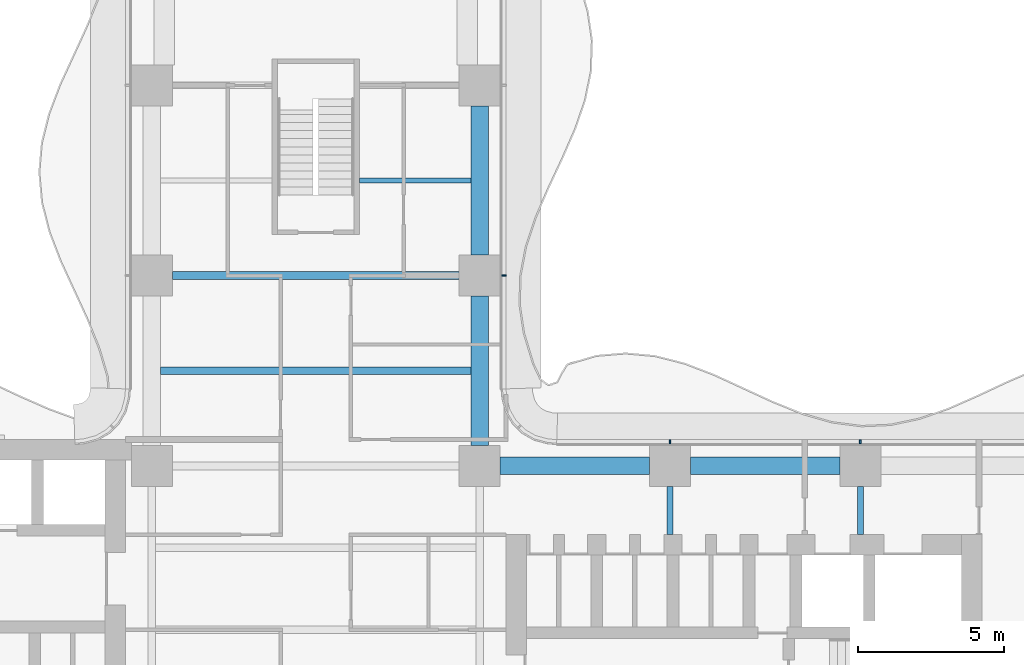
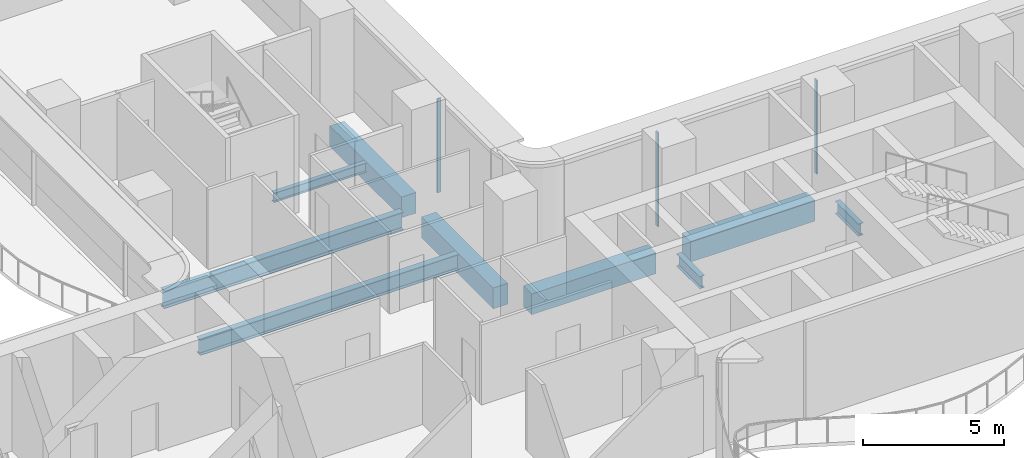
# One storey, part 10 of 22: 9 beams, 3 members, 2 elements without a shape of their own.
"""IFC4 building model written with IfcOpenShell, lengths in metres."""

from ifc_helpers import new_model, si_unit, direction, frame, origin, origin_2d, place, context, subcontext, project, spatial, rectangle, i_section, extrude, source, transform, mapped, material, layer, layer_set, material_profile, profile_set, type_object, element, aggregate, save


model = new_model("IFC4")

# Units and contexts
model_context = context("Model", 3, precision=1e-05, world=origin(), true_north=direction((0.0, 1.0)))
body_context = subcontext(model_context, "Body", "Model", "MODEL_VIEW")
ifc_project = project(units=[si_unit("LENGTHUNIT", "METRE"), si_unit("AREAUNIT", "SQUARE_METRE"), si_unit("VOLUMEUNIT", "CUBIC_METRE"), si_unit("PLANEANGLEUNIT", "RADIAN"), si_unit("MASSUNIT", "GRAM", prefix="KILO")], contexts=[model_context])

# Site, building, storey
site_placement = place(None, origin())
site = spatial("IfcSite", under=ifc_project, at=site_placement, CompositionType="ELEMENT")
building_placement = place(site_placement, origin())
building = spatial("IfcBuilding", under=site, at=building_placement, Name="Trellis Farm Tower", CompositionType="ELEMENT")
storey_placement = place(building_placement, frame((0.0, 0.0, 56.5)))
storey = spatial("IfcBuildingStorey", under=building, at=storey_placement, Name="L11", CompositionType="ELEMENT", Elevation=56.5)

# Beams
ifc_material_1 = material(Name="Concrete C60/75", Category="concrete")
ifc_material_profile_1 = material_profile(ifc_material_1, rectangle(XDim=0.60009765625, YDim=0.89990234375, at=origin_2d()), Name="RC spandrel beam 600x900 C60/75")
ifc_profile_set_1 = profile_set([ifc_material_profile_1], Name="Concrete C60/75")
beam_type_1 = type_object("IfcBeamType", Name="RC spandrel beam 600x900 C60/75", PredefinedType="SPANDREL", material=ifc_profile_set_1)
shared_shape_1 = source(origin(), body_context, "Body", "SweptSolid", [
    extrude(rectangle(XDim=0.60009765625, YDim=0.89990234375, at=origin_2d()), origin(), (0.0, 0.0, 1.0), 5.099853515625),
])
for number, where, z_axis, x_axis, name in (
    (1, (6.300048828125, 5.60009765625, -0.699951171875), (1.0, 0.0, 0.0), (0.0, 1.0, 0.0), "Girder"),
    (2, (12.800048828125, 5.60009765625, -0.699951171875), (1.0, 0.0, 0.0), (0.0, 1.0, 0.0), "Girder"),
    (3, (5.60009765625, 6.300048828125, -0.699951171875), (0.0, 1.0, 0.0), (-1.0, 0.0, 0.0), "Girder"),
    (4, (5.60009765625, 12.800048828125, -0.699951171875), (0.0, 1.0, 0.0), (-1.0, 0.0, 0.0), "Girder"),
):
    element("IfcBeam", number, at=place(storey_placement, frame(where, z_axis=z_axis, x_axis=x_axis)), inside=storey, type_object=beam_type_1, Name=name, PredefinedType="SPANDREL", context=body_context, shape_type="MappedRepresentation", body=[
        mapped(shared_shape_1, transform((0.0, 0.0, 0.0))),
    ])
ifc_material_2 = material(Name="Steel S355", Category="steel")
ifc_material_profile_2 = material_profile(ifc_material_2, i_section(OverallWidth=0.2666015625, OverallDepth=0.76220703125, WebThickness=0.014404296875, FlangeThickness=0.021484375, FilletRadius=0.0166015625, at=origin_2d()), Name="UB 762x267x173")
ifc_profile_set_2 = profile_set([ifc_material_profile_2], Name="Steel S355")
beam_type_2 = type_object("IfcBeamType", Name="UB 762x267x173", PredefinedType="BEAM", material=ifc_profile_set_2)
shared_shape_2 = source(origin(), body_context, "Body", "SweptSolid", [
    extrude(i_section(OverallWidth=0.2666015625, OverallDepth=0.76220703125, WebThickness=0.014404296875, FlangeThickness=0.021484375, FilletRadius=0.0166015625, at=origin_2d()), origin(), (0.0, 0.0, 1.0), 9.7998046875),
])
beam_1_placement = place(storey_placement, frame((-4.89990234375, 12.10009765625, -0.631103515625), z_axis=(1.0, 0.0, 0.0), x_axis=(0.0, 1.0, 0.0)))
element("IfcBeam", 5, at=beam_1_placement, inside=storey, type_object=beam_type_2, Name="Girder", PredefinedType="BEAM", context=body_context, shape_type="MappedRepresentation", body=[
    mapped(shared_shape_2, transform((0.0, 0.0, 0.0))),
])
ifc_material_profile_3 = material_profile(ifc_material_2, i_section(OverallWidth=0.209228515625, OverallDepth=0.533203125, WebThickness=0.010009765625, FlangeThickness=0.015625, FilletRadius=0.0126953125, at=origin_2d()), Name="UB 533x210x92")
ifc_profile_set_3 = profile_set([ifc_material_profile_3], Name="Steel S355")
beam_type_3 = type_object("IfcBeamType", Name="UB 533x210x92", PredefinedType="BEAM", material=ifc_profile_set_3)
shared_shape_3 = source(origin(), body_context, "Body", "SweptSolid", [
    extrude(i_section(OverallWidth=0.209228515625, OverallDepth=0.533203125, WebThickness=0.010009765625, FlangeThickness=0.015625, FilletRadius=0.0126953125, at=origin_2d()), origin(), (0.0, 0.0, 1.0), 1.64990234375),
])
for number, where, z_axis, x_axis, name in (
    (6, (12.10009765625, 3.25, -0.5166015625), (0.0, 1.0, 0.0), (-1.0, 0.0, 0.0), "Girder"),
    (7, (18.60009765625, 3.25, -0.5166015625), (0.0, 1.0, 0.0), (-1.0, 0.0, 0.0), "Girder"),
):
    element("IfcBeam", number, at=place(storey_placement, frame(where, z_axis=z_axis, x_axis=x_axis)), inside=storey, type_object=beam_type_3, Name=name, PredefinedType="BEAM", context=body_context, shape_type="MappedRepresentation", body=[
        mapped(shared_shape_3, transform((0.0, 0.0, 0.0))),
    ])
ifc_material_profile_4 = material_profile(ifc_material_2, i_section(OverallWidth=0.177978515625, OverallDepth=0.406494140625, WebThickness=0.0078125, FlangeThickness=0.0126953125, FilletRadius=0.01025390625, at=origin_2d()), Name="UB 406x178x60")
ifc_profile_set_4 = profile_set([ifc_material_profile_4], Name="Steel S355")
beam_type_4 = type_object("IfcBeamType", Name="UB 406x178x60 joist", PredefinedType="JOIST", material=ifc_profile_set_4)
shared_shape_4 = source(origin(), body_context, "Body", "SweptSolid", [
    extrude(i_section(OverallWidth=0.177978515625, OverallDepth=0.406494140625, WebThickness=0.0078125, FlangeThickness=0.0126953125, FilletRadius=0.01025390625, at=origin_2d()), origin(), (0.0, 0.0, 1.0), 3.800048828125),
])
beam_2_placement = place(storey_placement, frame((1.5, 15.35009765625, -0.453125), z_axis=(1.0, 0.0, 0.0), x_axis=(0.0, 1.0, 0.0)))
element("IfcBeam", 8, at=beam_2_placement, inside=storey, type_object=beam_type_4, Name="Floor beam", PredefinedType="JOIST", context=body_context, shape_type="MappedRepresentation", body=[
    mapped(shared_shape_4, transform((0.0, 0.0, 0.0))),
])
ifc_material_profile_5 = material_profile(ifc_material_2, i_section(OverallWidth=0.253662109375, OverallDepth=0.68359375, WebThickness=0.012451171875, FlangeThickness=0.021728515625, FilletRadius=0.01513671875, at=origin_2d()), Name="UB 686x254x140")
ifc_profile_set_5 = profile_set([ifc_material_profile_5], Name="Steel S355")
beam_type_5 = type_object("IfcBeamType", Name="UB 686x254x140 joist", PredefinedType="JOIST", material=ifc_profile_set_5)
shared_shape_5 = source(origin(), body_context, "Body", "SweptSolid", [
    extrude(i_section(OverallWidth=0.253662109375, OverallDepth=0.68359375, WebThickness=0.012451171875, FlangeThickness=0.021728515625, FilletRadius=0.01513671875, at=origin_2d()), origin(), (0.0, 0.0, 1.0), 10.60009765625),
])
beam_3_placement = place(storey_placement, frame((-5.300048828125, 8.85009765625, -0.591796875), z_axis=(1.0, 0.0, 0.0), x_axis=(0.0, 1.0, 0.0)))
element("IfcBeam", 9, at=beam_3_placement, inside=storey, type_object=beam_type_5, Name="Floor beam", PredefinedType="JOIST", context=body_context, shape_type="MappedRepresentation", body=[
    mapped(shared_shape_5, transform((0.0, 0.0, 0.0))),
])

# Curtain wall, members
ifc_material_3 = material(Name="Aluminium and glass curtain wall", Category="aluminium")
ifc_layer = layer(ifc_material_3, 0.18994140625)
ifc_layer_set = layer_set([ifc_layer], Name="RIBBON CURTAIN WALL CW1")
curtain_wall_type = type_object("IfcCurtainWallType", Name="RIBBON CURTAIN WALL CW1", PredefinedType="NOTDEFINED", material=ifc_layer_set)
placement = place(storey_placement, origin())
curtain_wall_1 = element("IfcCurtainWall", 10, at=placement, inside=storey, type_object=curtain_wall_type, Name="CW1 008", PredefinedType="NOTDEFINED")
ifc_material_4 = material(Name="Aluminium extrusion 6063-T6", Category="aluminium")
ifc_material_profile_6 = material_profile(ifc_material_4, rectangle(XDim=0.06005859375, YDim=0.14990234375, at=origin_2d()), Name="MULLION 60x150")
ifc_profile_set_6 = profile_set([ifc_material_profile_6], Name="Aluminium extrusion 6063-T6")
member_type = type_object("IfcMemberType", Name="CW1 MULLION 60x150", PredefinedType="MULLION", material=ifc_profile_set_6)
shared_shape_6 = source(origin(), body_context, "Body", "SweptSolid", [
    extrude(rectangle(XDim=0.06005859375, YDim=0.14990234375, at=origin_2d()), origin(), (0.0, 0.0, 1.0), 4.070068359375),
])
member_1_placement = place(storey_placement, frame((18.60009765625, 6.425048828125, 0.0), z_axis=(0.0, 0.0, 1.0), x_axis=(-1.0, 0.0, 0.0)))
member_1 = element("IfcMember", 11, at=member_1_placement, type_object=member_type, Name="MU1 008-02", PredefinedType="MULLION", context=body_context, shape_type="MappedRepresentation", body=[
    mapped(shared_shape_6, transform((0.0, 0.0, 0.0))),
])
member_2_placement = place(storey_placement, frame((12.10009765625, 6.425048828125, 0.0), z_axis=(0.0, 0.0, 1.0), x_axis=(-1.0, 0.0, 0.0)))
member_2 = element("IfcMember", 12, at=member_2_placement, type_object=member_type, Name="MU1 008-03", PredefinedType="MULLION", context=body_context, shape_type="MappedRepresentation", body=[
    mapped(shared_shape_6, transform((0.0, 0.0, 0.0))),
])
aggregate(curtain_wall_1, [member_1, member_2])

# Curtain wall, member
curtain_wall_2 = element("IfcCurtainWall", 13, at=placement, inside=storey, type_object=curtain_wall_type, Name="CW1 009", PredefinedType="NOTDEFINED")
member_3_placement = place(storey_placement, frame((6.425048828125, 12.10009765625, 0.0), z_axis=(0.0, 0.0, 1.0), x_axis=(0.0, 1.0, 0.0)))
member_3 = element("IfcMember", 14, at=member_3_placement, type_object=member_type, Name="MU1 009-01", PredefinedType="MULLION", context=body_context, shape_type="MappedRepresentation", body=[
    mapped(shared_shape_6, transform((0.0, 0.0, 0.0))),
])
aggregate(curtain_wall_2, [member_3])

save(model, "model.ifc")
